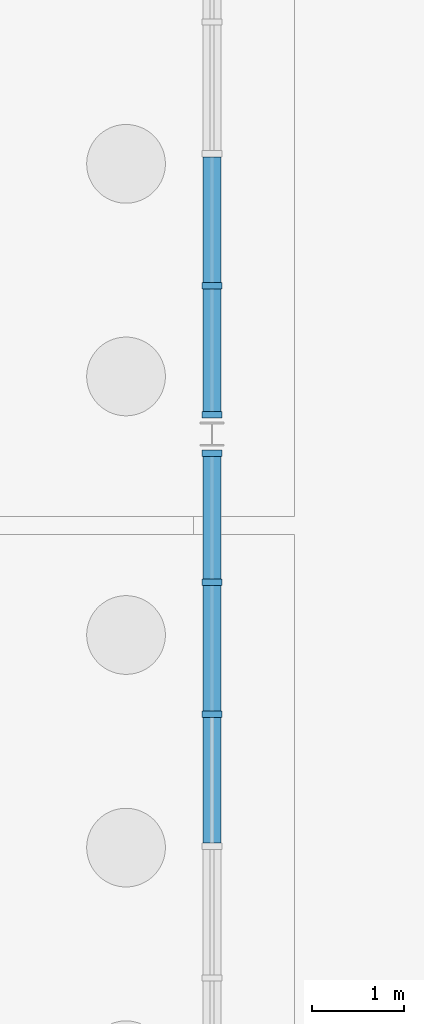
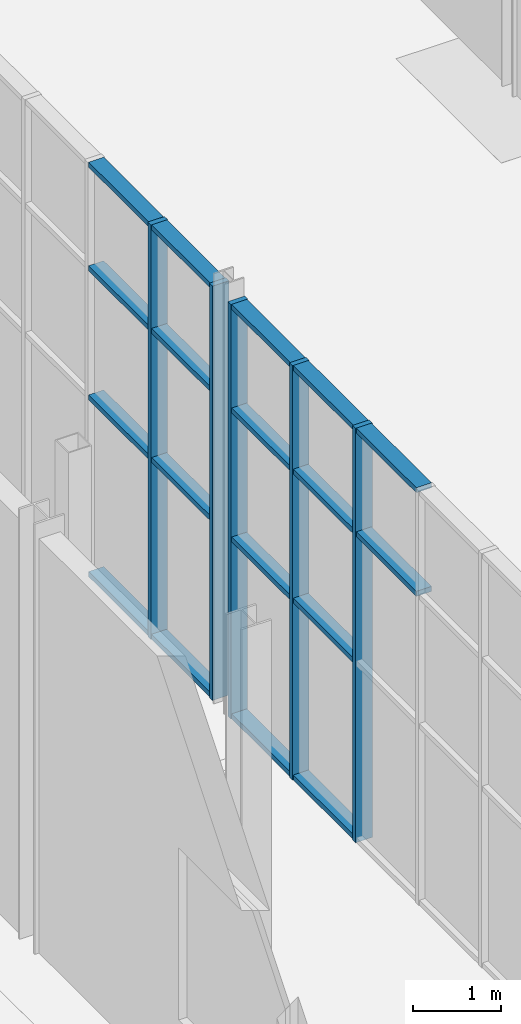
# One storey, part 53 of 131: 23 members, 2 elements without a shape of their own.
"""IFC4 building model written with IfcOpenShell, lengths in metres."""

from ifc_helpers import new_model, si_unit, direction, frame, origin, origin_2d, place, context, subcontext, project, spatial, rectangle, extrude, material, layer, layer_set, material_profile, profile_set, type_object, element, aggregate, save


model = new_model("IFC4")

# Units and contexts
model_context = context("Model", 3, precision=1e-05, world=origin(), true_north=direction((0.0, 1.0)))
body_context = subcontext(model_context, "Body", "Model", "MODEL_VIEW")
ifc_project = project(units=[si_unit("LENGTHUNIT", "METRE"), si_unit("AREAUNIT", "SQUARE_METRE"), si_unit("VOLUMEUNIT", "CUBIC_METRE"), si_unit("PLANEANGLEUNIT", "RADIAN"), si_unit("MASSUNIT", "GRAM", prefix="KILO")], contexts=[model_context])

# Site, building, storey
site_placement = place(None, origin())
site = spatial("IfcSite", under=ifc_project, at=site_placement, CompositionType="ELEMENT")
building_placement = place(site_placement, origin())
building = spatial("IfcBuilding", under=site, at=building_placement, Name="Cazmaro Siding Exhibition Halls", CompositionType="ELEMENT")
storey_placement = place(building_placement, origin())
storey = spatial("IfcBuildingStorey", under=building, at=storey_placement, Name="L00", CompositionType="ELEMENT", Elevation=0.0)

# Curtain wall, members
ifc_material_1 = material(Name="Anodized Bronze Aluminum and Solar-Control Low-E Glazing", Category="aluminium")
ifc_layer = layer(ifc_material_1, 0.219970703125)
ifc_layer_set = layer_set([ifc_layer], Name="Anodized Bronze Aluminum and Solar-Control Low-E Glazing")
curtain_wall_type = type_object("IfcCurtainWallType", Name="CWS-03", PredefinedType="USERDEFINED", material=ifc_layer_set)
curtain_wall_1_placement = place(storey_placement, origin())
curtain_wall_1 = element("IfcCurtainWall", 1, at=curtain_wall_1_placement, inside=storey, type_object=curtain_wall_type, Name="Glazed Curtain Wall CWS-03 CW-053", ObjectType="GLAZED CURTAIN WALL", PredefinedType="USERDEFINED")
ifc_material_2 = material(Name="Anodized Bronze Extruded Aluminum", Category="aluminium")
ifc_material_profile_1 = material_profile(ifc_material_2, rectangle(XDim=0.219970703125, YDim=0.070068359375, at=origin_2d()), Name="CWM-03")
ifc_profile_set_1 = profile_set([ifc_material_profile_1], Name="Anodized Bronze Extruded Aluminum")
member_type_1 = type_object("IfcMemberType", Name="CWM-03", PredefinedType="MULLION", material=ifc_profile_set_1)
member_1_placement = place(storey_placement, frame((48.199951171875, 93.7880859375, 0.0), z_axis=(0.0, 0.0, 1.0), x_axis=(1.0, 0.0, 0.0)))
member_1 = element("IfcMember", 2, at=member_1_placement, type_object=member_type_1, Name="CWS-03 mullion 1", PredefinedType="MULLION", context=body_context, shape_type="SweptSolid", body=[
    extrude(rectangle(XDim=0.219970703125, YDim=0.070068359375, at=origin_2d()), origin(), (0.0, 0.0, 1.0), 5.780029296875),
])
member_2_placement = place(storey_placement, frame((48.199951171875, 92.382080078125, 0.0), z_axis=(0.0, 0.0, 1.0), x_axis=(1.0, 0.0, 0.0)))
member_2 = element("IfcMember", 3, at=member_2_placement, type_object=member_type_1, Name="CWS-03 mullion 2", PredefinedType="MULLION", context=body_context, shape_type="SweptSolid", body=[
    extrude(rectangle(XDim=0.219970703125, YDim=0.070068359375, at=origin_2d()), origin(), (0.0, 0.0, 1.0), 5.780029296875),
])
member_3_placement = place(storey_placement, frame((48.199951171875, 90.94091796875, 0.0), z_axis=(0.0, 0.0, 1.0), x_axis=(1.0, 0.0, 0.0)))
member_3 = element("IfcMember", 4, at=member_3_placement, type_object=member_type_1, Name="CWS-03 mullion 3", PredefinedType="MULLION", context=body_context, shape_type="SweptSolid", body=[
    extrude(rectangle(XDim=0.219970703125, YDim=0.070068359375, at=origin_2d()), origin(), (0.0, 0.0, 1.0), 5.780029296875),
])

curtain_wall_2_placement = place(storey_placement, origin())
curtain_wall_2 = element("IfcCurtainWall", 5, at=curtain_wall_2_placement, inside=storey, type_object=curtain_wall_type, Name="Glazed Curtain Wall CWS-03 CW-056", ObjectType="GLAZED CURTAIN WALL", PredefinedType="USERDEFINED")
member_4_placement = place(storey_placement, frame((48.199951171875, 95.617919921875, 0.0), z_axis=(0.0, 0.0, 1.0), x_axis=(1.0, 0.0, 0.0)))
member_4 = element("IfcMember", 6, at=member_4_placement, type_object=member_type_1, Name="CWS-03 mullion 6", PredefinedType="MULLION", context=body_context, shape_type="SweptSolid", body=[
    extrude(rectangle(XDim=0.219970703125, YDim=0.070068359375, at=origin_2d()), origin(), (0.0, 0.0, 1.0), 5.780029296875),
])
member_5_placement = place(storey_placement, frame((48.199951171875, 94.2119140625, 0.0), z_axis=(0.0, 0.0, 1.0), x_axis=(1.0, 0.0, 0.0)))
member_5 = element("IfcMember", 7, at=member_5_placement, type_object=member_type_1, Name="CWS-03 mullion 7", PredefinedType="MULLION", context=body_context, shape_type="SweptSolid", body=[
    extrude(rectangle(XDim=0.219970703125, YDim=0.070068359375, at=origin_2d()), origin(), (0.0, 0.0, 1.0), 5.780029296875),
])

# Member
ifc_material_3 = material(Name="Anodized Bronze Extruded Aluminum", Category="aluminium")
ifc_material_profile_2 = material_profile(ifc_material_3, rectangle(XDim=0.199951171875, YDim=0.070068359375, at=origin_2d()), Name="CWT-03")
ifc_profile_set_2 = profile_set([ifc_material_profile_2], Name="Anodized Bronze Extruded Aluminum")
member_type_2 = type_object("IfcMemberType", Name="CWT-03", PredefinedType="MULLION", material=ifc_profile_set_2)
member_6_placement = place(storey_placement, frame((48.199951171875, 93.7529296875, 0.034912109375), z_axis=(0.0, -1.0, 0.0), x_axis=(1.0, 0.0, 0.0)))
member_6 = element("IfcMember", 8, at=member_6_placement, type_object=member_type_2, Name="CWS-03 transom 1.1", ObjectType="TRANSOM", PredefinedType="USERDEFINED", context=body_context, shape_type="SweptSolid", body=[
    extrude(rectangle(XDim=0.199951171875, YDim=0.070068359375, at=origin_2d()), origin(), (0.0, 0.0, 1.0), 1.3359375),
])

member_7_placement = place(storey_placement, frame((48.199951171875, 93.7529296875, 2.5), z_axis=(0.0, -1.0, 0.0), x_axis=(1.0, 0.0, 0.0)))
member_7 = element("IfcMember", 9, at=member_7_placement, type_object=member_type_2, Name="CWS-03 transom 1.2", ObjectType="TRANSOM", PredefinedType="USERDEFINED", context=body_context, shape_type="SweptSolid", body=[
    extrude(rectangle(XDim=0.199951171875, YDim=0.070068359375, at=origin_2d()), origin(), (0.0, 0.0, 1.0), 1.3359375),
])

member_8_placement = place(storey_placement, frame((48.199951171875, 93.7529296875, 4.300048828125), z_axis=(0.0, -1.0, 0.0), x_axis=(1.0, 0.0, 0.0)))
member_8 = element("IfcMember", 10, at=member_8_placement, type_object=member_type_2, Name="CWS-03 transom 1.3", ObjectType="TRANSOM", PredefinedType="USERDEFINED", context=body_context, shape_type="SweptSolid", body=[
    extrude(rectangle(XDim=0.199951171875, YDim=0.070068359375, at=origin_2d()), origin(), (0.0, 0.0, 1.0), 1.3359375),
])

member_9_placement = place(storey_placement, frame((48.199951171875, 93.7529296875, 5.7451171875), z_axis=(0.0, -1.0, 0.0), x_axis=(1.0, 0.0, 0.0)))
member_9 = element("IfcMember", 11, at=member_9_placement, type_object=member_type_2, Name="CWS-03 transom 1.4", ObjectType="TRANSOM", PredefinedType="USERDEFINED", context=body_context, shape_type="SweptSolid", body=[
    extrude(rectangle(XDim=0.199951171875, YDim=0.070068359375, at=origin_2d()), origin(), (0.0, 0.0, 1.0), 1.3359375),
])

member_10_placement = place(storey_placement, frame((48.199951171875, 92.346923828125, 0.034912109375), z_axis=(0.0, -1.0, 0.0), x_axis=(1.0, 0.0, 0.0)))
member_10 = element("IfcMember", 12, at=member_10_placement, type_object=member_type_2, Name="CWS-03 transom 2.1", ObjectType="TRANSOM", PredefinedType="USERDEFINED", context=body_context, shape_type="SweptSolid", body=[
    extrude(rectangle(XDim=0.199951171875, YDim=0.070068359375, at=origin_2d()), origin(), (0.0, 0.0, 1.0), 1.370849609375),
])

member_11_placement = place(storey_placement, frame((48.199951171875, 92.346923828125, 2.5), z_axis=(0.0, -1.0, 0.0), x_axis=(1.0, 0.0, 0.0)))
member_11 = element("IfcMember", 13, at=member_11_placement, type_object=member_type_2, Name="CWS-03 transom 2.2", ObjectType="TRANSOM", PredefinedType="USERDEFINED", context=body_context, shape_type="SweptSolid", body=[
    extrude(rectangle(XDim=0.199951171875, YDim=0.070068359375, at=origin_2d()), origin(), (0.0, 0.0, 1.0), 1.370849609375),
])

member_12_placement = place(storey_placement, frame((48.199951171875, 92.346923828125, 4.300048828125), z_axis=(0.0, -1.0, 0.0), x_axis=(1.0, 0.0, 0.0)))
member_12 = element("IfcMember", 14, at=member_12_placement, type_object=member_type_2, Name="CWS-03 transom 2.3", ObjectType="TRANSOM", PredefinedType="USERDEFINED", context=body_context, shape_type="SweptSolid", body=[
    extrude(rectangle(XDim=0.199951171875, YDim=0.070068359375, at=origin_2d()), origin(), (0.0, 0.0, 1.0), 1.370849609375),
])

member_13_placement = place(storey_placement, frame((48.199951171875, 92.346923828125, 5.7451171875), z_axis=(0.0, -1.0, 0.0), x_axis=(1.0, 0.0, 0.0)))
member_13 = element("IfcMember", 15, at=member_13_placement, type_object=member_type_2, Name="CWS-03 transom 2.4", ObjectType="TRANSOM", PredefinedType="USERDEFINED", context=body_context, shape_type="SweptSolid", body=[
    extrude(rectangle(XDim=0.199951171875, YDim=0.070068359375, at=origin_2d()), origin(), (0.0, 0.0, 1.0), 1.370849609375),
])

member_14_placement = place(storey_placement, frame((48.199951171875, 90.906005859375, 4.300048828125), z_axis=(0.0, -1.0, 0.0), x_axis=(1.0, 0.0, 0.0)))
member_14 = element("IfcMember", 16, at=member_14_placement, type_object=member_type_2, Name="CWS-03 transom 3.3", ObjectType="TRANSOM", PredefinedType="USERDEFINED", context=body_context, shape_type="SweptSolid", body=[
    extrude(rectangle(XDim=0.199951171875, YDim=0.070068359375, at=origin_2d()), origin(), (0.0, 0.0, 1.0), 1.37109375),
])

member_15_placement = place(storey_placement, frame((48.199951171875, 90.906005859375, 5.7451171875), z_axis=(0.0, -1.0, 0.0), x_axis=(1.0, 0.0, 0.0)))
member_15 = element("IfcMember", 17, at=member_15_placement, type_object=member_type_2, Name="CWS-03 transom 3.4", ObjectType="TRANSOM", PredefinedType="USERDEFINED", context=body_context, shape_type="SweptSolid", body=[
    extrude(rectangle(XDim=0.199951171875, YDim=0.070068359375, at=origin_2d()), origin(), (0.0, 0.0, 1.0), 1.37109375),
])

aggregate(curtain_wall_1, [member_1, member_2, member_3, member_6, member_7, member_8, member_9, member_10, member_11, member_12, member_13, member_14, member_15])

member_16_placement = place(storey_placement, frame((48.199951171875, 97.02392578125, 0.034912109375), z_axis=(0.0, -1.0, 0.0), x_axis=(1.0, 0.0, 0.0)))
member_16 = element("IfcMember", 18, at=member_16_placement, type_object=member_type_2, Name="CWS-03 transom 5.1", ObjectType="TRANSOM", PredefinedType="USERDEFINED", context=body_context, shape_type="SweptSolid", body=[
    extrude(rectangle(XDim=0.199951171875, YDim=0.070068359375, at=origin_2d()), origin(), (0.0, 0.0, 1.0), 1.370849609375),
])

member_17_placement = place(storey_placement, frame((48.199951171875, 97.02392578125, 2.5), z_axis=(0.0, -1.0, 0.0), x_axis=(1.0, 0.0, 0.0)))
member_17 = element("IfcMember", 19, at=member_17_placement, type_object=member_type_2, Name="CWS-03 transom 5.2", ObjectType="TRANSOM", PredefinedType="USERDEFINED", context=body_context, shape_type="SweptSolid", body=[
    extrude(rectangle(XDim=0.199951171875, YDim=0.070068359375, at=origin_2d()), origin(), (0.0, 0.0, 1.0), 1.370849609375),
])

member_18_placement = place(storey_placement, frame((48.199951171875, 97.02392578125, 4.300048828125), z_axis=(0.0, -1.0, 0.0), x_axis=(1.0, 0.0, 0.0)))
member_18 = element("IfcMember", 20, at=member_18_placement, type_object=member_type_2, Name="CWS-03 transom 5.3", ObjectType="TRANSOM", PredefinedType="USERDEFINED", context=body_context, shape_type="SweptSolid", body=[
    extrude(rectangle(XDim=0.199951171875, YDim=0.070068359375, at=origin_2d()), origin(), (0.0, 0.0, 1.0), 1.370849609375),
])

member_19_placement = place(storey_placement, frame((48.199951171875, 97.02392578125, 5.7451171875), z_axis=(0.0, -1.0, 0.0), x_axis=(1.0, 0.0, 0.0)))
member_19 = element("IfcMember", 21, at=member_19_placement, type_object=member_type_2, Name="CWS-03 transom 5.4", ObjectType="TRANSOM", PredefinedType="USERDEFINED", context=body_context, shape_type="SweptSolid", body=[
    extrude(rectangle(XDim=0.199951171875, YDim=0.070068359375, at=origin_2d()), origin(), (0.0, 0.0, 1.0), 1.370849609375),
])

member_20_placement = place(storey_placement, frame((48.199951171875, 95.5830078125, 0.034912109375), z_axis=(0.0, -1.0, 0.0), x_axis=(1.0, 0.0, 0.0)))
member_20 = element("IfcMember", 22, at=member_20_placement, type_object=member_type_2, Name="CWS-03 transom 6.1", ObjectType="TRANSOM", PredefinedType="USERDEFINED", context=body_context, shape_type="SweptSolid", body=[
    extrude(rectangle(XDim=0.199951171875, YDim=0.070068359375, at=origin_2d()), origin(), (0.0, 0.0, 1.0), 1.3359375),
])

member_21_placement = place(storey_placement, frame((48.199951171875, 95.5830078125, 2.5), z_axis=(0.0, -1.0, 0.0), x_axis=(1.0, 0.0, 0.0)))
member_21 = element("IfcMember", 23, at=member_21_placement, type_object=member_type_2, Name="CWS-03 transom 6.2", ObjectType="TRANSOM", PredefinedType="USERDEFINED", context=body_context, shape_type="SweptSolid", body=[
    extrude(rectangle(XDim=0.199951171875, YDim=0.070068359375, at=origin_2d()), origin(), (0.0, 0.0, 1.0), 1.3359375),
])

member_22_placement = place(storey_placement, frame((48.199951171875, 95.5830078125, 4.300048828125), z_axis=(0.0, -1.0, 0.0), x_axis=(1.0, 0.0, 0.0)))
member_22 = element("IfcMember", 24, at=member_22_placement, type_object=member_type_2, Name="CWS-03 transom 6.3", ObjectType="TRANSOM", PredefinedType="USERDEFINED", context=body_context, shape_type="SweptSolid", body=[
    extrude(rectangle(XDim=0.199951171875, YDim=0.070068359375, at=origin_2d()), origin(), (0.0, 0.0, 1.0), 1.3359375),
])

member_23_placement = place(storey_placement, frame((48.199951171875, 95.5830078125, 5.7451171875), z_axis=(0.0, -1.0, 0.0), x_axis=(1.0, 0.0, 0.0)))
member_23 = element("IfcMember", 25, at=member_23_placement, type_object=member_type_2, Name="CWS-03 transom 6.4", ObjectType="TRANSOM", PredefinedType="USERDEFINED", context=body_context, shape_type="SweptSolid", body=[
    extrude(rectangle(XDim=0.199951171875, YDim=0.070068359375, at=origin_2d()), origin(), (0.0, 0.0, 1.0), 1.3359375),
])

aggregate(curtain_wall_2, [member_4, member_5, member_16, member_17, member_18, member_19, member_20, member_21, member_22, member_23])

save(model, "model.ifc")
